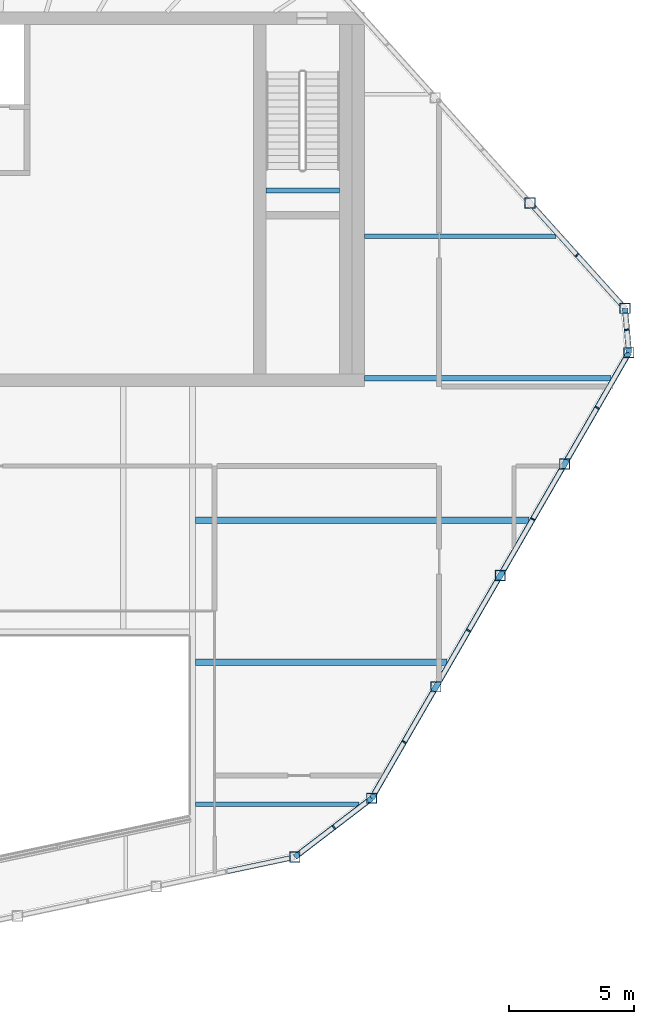
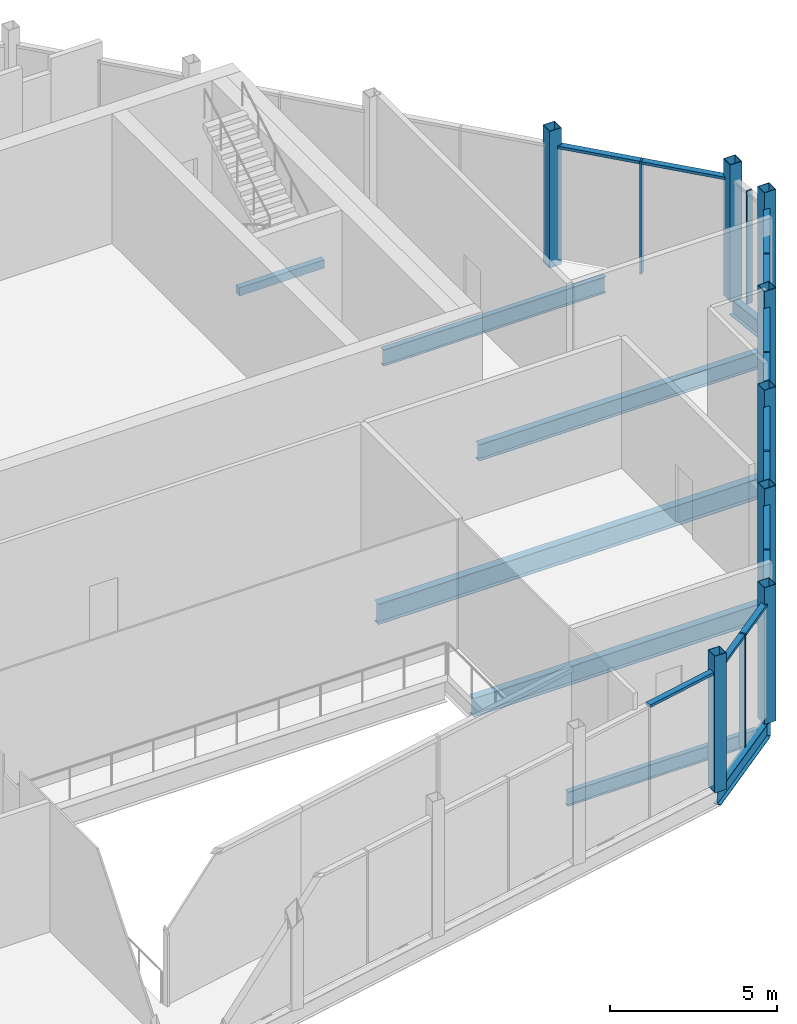
# One storey, part 4 of 12: 28 members, 9 beams, 5 elements without a shape of their own.
"""IFC4 building model written with IfcOpenShell, lengths in metres."""

from ifc_helpers import new_model, si_unit, direction, frame, origin, origin_2d, place, context, subcontext, project, spatial, rectangle, hollow_rectangle, i_section, extrude, material, layer, layer_set, material_profile, profile_set, type_object, element, aggregate, save


model = new_model("IFC4")

# Units and contexts
model_context = context("Model", 3, precision=1e-05, world=origin(), true_north=direction((0.0, 1.0)))
body_context = subcontext(model_context, "Body", "Model", "MODEL_VIEW")
ifc_project = project(units=[si_unit("LENGTHUNIT", "METRE"), si_unit("AREAUNIT", "SQUARE_METRE"), si_unit("VOLUMEUNIT", "CUBIC_METRE"), si_unit("PLANEANGLEUNIT", "RADIAN"), si_unit("MASSUNIT", "GRAM", prefix="KILO")], contexts=[model_context])

# Site, building, storey
site_placement = place(None, origin())
site = spatial("IfcSite", under=ifc_project, at=site_placement, CompositionType="ELEMENT")
building_placement = place(site_placement, origin())
building = spatial("IfcBuilding", under=site, at=building_placement, Name="Isthmus Gate Tower", CompositionType="ELEMENT")
storey_placement = place(building_placement, frame((0.0, 0.0, 306.10009765625)))
storey = spatial("IfcBuildingStorey", under=building, at=storey_placement, Name="C2", CompositionType="ELEMENT", Elevation=306.10009765625)

# Members
ifc_material_1 = material(Name="Structural steel ASTM A500 Gr C", Category="steel")
ifc_material_profile_1 = material_profile(ifc_material_1, hollow_rectangle(XDim=0.406494140625, YDim=0.406494140625, WallThickness=0.017578125, at=origin_2d()), Name="HSS16X16X3/4")
ifc_profile_set_1 = profile_set([ifc_material_profile_1], Name="Structural steel ASTM A500 Gr C")
member_type_1 = type_object("IfcMemberType", Name="CROWN POST HSS16X16X3/4", PredefinedType="POST", material=ifc_profile_set_1)
for number, where, z_axis, x_axis, name in (
    (1, (12.215087890625, -18.8701171875, -0.25), (0.0, 0.0, 1.0), (1.0, 0.0, 0.0), "str-crownpost-C2-20"),
    (2, (15.28955078125, -16.517822265625, -0.25), (0.0, 0.0, 1.0), (1.0, 0.0, 0.0), "str-crownpost-C2-21"),
    (3, (17.8681640625, -12.05126953125, -0.25), (0.0, 0.0, 1.0), (1.0, 0.0, 0.0), "str-crownpost-C2-22"),
    (4, (20.44677734375, -7.5849609375, -0.25), (0.0, 0.0, 1.0), (1.0, 0.0, 0.0), "str-crownpost-C2-23"),
    (5, (23.025634765625, -3.11865234375, -0.25), (0.0, 0.0, 1.0), (1.0, 0.0, 0.0), "str-crownpost-C2-24"),
    (6, (25.604248046875, 1.347900390625, -0.25), (0.0, 0.0, 1.0), (1.0, 0.0, 0.0), "str-crownpost-C2-25"),
    (7, (25.445068359375, 3.120361328125, -0.25), (0.0, 0.0, 1.0), (1.0, 0.0, 0.0), "str-crownpost-C2-26"),
    (8, (21.642333984375, 7.34375, -0.25), (0.0, 0.0, 1.0), (1.0, 0.0, 0.0), "str-crownpost-C2-27"),
):
    element("IfcMember", number, at=place(storey_placement, frame(where, z_axis=z_axis, x_axis=x_axis)), inside=storey, type_object=member_type_1, Name=name, PredefinedType="POST", context=body_context, shape_type="SweptSolid", body=[
        extrude(hollow_rectangle(XDim=0.406494140625, YDim=0.406494140625, WallThickness=0.017578125, at=origin_2d()), origin(), (0.0, 0.0, 1.0), 5.0),
    ])

# Beams
ifc_material_2 = material(Name="Structural steel ASTM A992 Gr 50", Category="steel")
ifc_material_profile_2 = material_profile(ifc_material_2, i_section(OverallWidth=0.231689453125, OverallDepth=0.615966796875, WebThickness=0.0126953125, FlangeThickness=0.022216796875, at=origin_2d()), Name="W24X94")
ifc_profile_set_2 = profile_set([ifc_material_profile_2], Name="Structural steel ASTM A992 Gr 50")
beam_type_1 = type_object("IfcBeamType", Name="CROWN RING BEAM W24X94", PredefinedType="BEAM", material=ifc_profile_set_2)
beam_1_placement = place(storey_placement, frame((12.215087890625, -18.8701171875, -0.55810546875), z_axis=(0.794203857672, 0.607651407025, 0.0), x_axis=(-0.607651407025, 0.794203857672, 0.0)))
element("IfcBeam", 9, at=beam_1_placement, inside=storey, type_object=beam_type_1, Name="str-crownring-C2-07", PredefinedType="BEAM", context=body_context, shape_type="SweptSolid", body=[
    extrude(i_section(OverallWidth=0.231689453125, OverallDepth=0.615966796875, WebThickness=0.0126953125, FlangeThickness=0.022216796875, at=origin_2d()), origin(), (0.0, 0.0, 1.0), 3.87109375),
])
beam_2_placement = place(storey_placement, frame((15.28955078125, -16.517822265625, -0.55810546875), z_axis=(0.499996999955, 0.866027135854, 0.0), x_axis=(-0.866027135854, 0.499996999955, 0.0)))
element("IfcBeam", 10, at=beam_2_placement, inside=storey, type_object=beam_type_1, Name="str-crownring-C2-08", PredefinedType="BEAM", context=body_context, shape_type="SweptSolid", body=[
    extrude(i_section(OverallWidth=0.231689453125, OverallDepth=0.615966796875, WebThickness=0.0126953125, FlangeThickness=0.022216796875, at=origin_2d()), origin(), (0.0, 0.0, 1.0), 20.629638671875),
])
beam_3_placement = place(storey_placement, frame((25.604248046875, 1.347900390625, -0.55810546875), z_axis=(-0.089447176589, 0.995991567535, 0.0), x_axis=(-0.995991567535, -0.089447176589, 0.0)))
element("IfcBeam", 11, at=beam_3_placement, inside=storey, type_object=beam_type_1, Name="str-crownring-C2-09", PredefinedType="BEAM", context=body_context, shape_type="SweptSolid", body=[
    extrude(i_section(OverallWidth=0.231689453125, OverallDepth=0.615966796875, WebThickness=0.0126953125, FlangeThickness=0.022216796875, at=origin_2d()), origin(), (0.0, 0.0, 1.0), 1.779541015625),
])

# Curtain wall, member
ifc_material_3 = material(Name="Aluminium, pale champagne anodised", Category="aluminium")
ifc_layer = layer(ifc_material_3, 0.199951171875)
ifc_layer_set = layer_set([ifc_layer], Name="CW-2 LOUVRE CURTAIN WALL 200 DEEP")
curtain_wall_type = type_object("IfcCurtainWallType", Name="CW-2 LOUVRE CURTAIN WALL 200 DEEP", PredefinedType="NOTDEFINED", material=ifc_layer_set)
curtain_wall_1_placement = place(storey_placement, origin())
curtain_wall_1 = element("IfcCurtainWall", 12, at=curtain_wall_1_placement, inside=storey, type_object=curtain_wall_type, Name="CW-2 E07 C2", PredefinedType="NOTDEFINED")
ifc_material_4 = material(Name="Aluminium, pale champagne anodised", Category="aluminium")
ifc_material_profile_3 = material_profile(ifc_material_4, rectangle(XDim=0.06005859375, YDim=0.199951171875, at=origin_2d()), Name="60x200")
ifc_profile_set_3 = profile_set([ifc_material_profile_3], Name="Aluminium, pale champagne anodised")
member_type_2 = type_object("IfcMemberType", Name="CW-2 MULLION 60 X 200", PredefinedType="MULLION", material=ifc_profile_set_3)
member_1_placement = place(storey_placement, frame((13.776123046875, -17.67578125, 0.0), z_axis=(0.0, 0.0, 1.0), x_axis=(0.794188594387, 0.607671355706, 0.0)))
member_1 = element("IfcMember", 13, at=member_1_placement, type_object=member_type_2, Name="CW-2 mullion", PredefinedType="MULLION", context=body_context, shape_type="SweptSolid", body=[
    extrude(rectangle(XDim=0.06005859375, YDim=0.199951171875, at=origin_2d()), origin(), (0.0, 0.0, 1.0), 4.134033203125),
])

# Curtain wall, members
curtain_wall_2_placement = place(storey_placement, origin())
curtain_wall_2 = element("IfcCurtainWall", 14, at=curtain_wall_2_placement, inside=storey, type_object=curtain_wall_type, Name="CW-2 E08 C2", PredefinedType="NOTDEFINED")
member_2_placement = place(storey_placement, frame((16.593994140625, -14.258544921875, 0.0), z_axis=(0.0, 0.0, 1.0), x_axis=(0.5, 0.866025403784, 0.0)))
member_2 = element("IfcMember", 15, at=member_2_placement, type_object=member_type_2, Name="CW-2 mullion", PredefinedType="MULLION", context=body_context, shape_type="SweptSolid", body=[
    extrude(rectangle(XDim=0.06005859375, YDim=0.199951171875, at=origin_2d()), origin(), (0.0, 0.0, 1.0), 4.134033203125),
])
member_3_placement = place(storey_placement, frame((19.172607421875, -9.792236328125, 0.0), z_axis=(0.0, 0.0, 1.0), x_axis=(0.5, 0.866025403784, 0.0)))
member_3 = element("IfcMember", 16, at=member_3_placement, type_object=member_type_2, Name="CW-2 mullion", PredefinedType="MULLION", context=body_context, shape_type="SweptSolid", body=[
    extrude(rectangle(XDim=0.06005859375, YDim=0.199951171875, at=origin_2d()), origin(), (0.0, 0.0, 1.0), 4.134033203125),
])
member_4_placement = place(storey_placement, frame((21.751220703125, -5.32568359375, 0.0), z_axis=(0.0, 0.0, 1.0), x_axis=(0.5, 0.866025403784, 0.0)))
member_4 = element("IfcMember", 17, at=member_4_placement, type_object=member_type_2, Name="CW-2 mullion", PredefinedType="MULLION", context=body_context, shape_type="SweptSolid", body=[
    extrude(rectangle(XDim=0.06005859375, YDim=0.199951171875, at=origin_2d()), origin(), (0.0, 0.0, 1.0), 4.134033203125),
])
member_5_placement = place(storey_placement, frame((24.329833984375, -0.859375, 0.0), z_axis=(0.0, 0.0, 1.0), x_axis=(0.5, 0.866025403784, 0.0)))
member_5 = element("IfcMember", 18, at=member_5_placement, type_object=member_type_2, Name="CW-2 mullion", PredefinedType="MULLION", context=body_context, shape_type="SweptSolid", body=[
    extrude(rectangle(XDim=0.06005859375, YDim=0.199951171875, at=origin_2d()), origin(), (0.0, 0.0, 1.0), 4.134033203125),
])

# Curtain wall, member
curtain_wall_3_placement = place(storey_placement, origin())
curtain_wall_3 = element("IfcCurtainWall", 19, at=curtain_wall_3_placement, inside=storey, type_object=curtain_wall_type, Name="CW-2 E09 C2", PredefinedType="NOTDEFINED")
member_6_placement = place(storey_placement, frame((25.52197265625, 2.263916015625, 0.0), z_axis=(0.0, 0.0, 1.0), x_axis=(-0.089396669717, 0.995996102123, 0.0)))
member_6 = element("IfcMember", 20, at=member_6_placement, type_object=member_type_2, Name="CW-2 mullion", PredefinedType="MULLION", context=body_context, shape_type="SweptSolid", body=[
    extrude(rectangle(XDim=0.06005859375, YDim=0.199951171875, at=origin_2d()), origin(), (0.0, 0.0, 1.0), 4.134033203125),
])
aggregate(curtain_wall_3, [member_6])

curtain_wall_4_placement = place(storey_placement, origin())
curtain_wall_4 = element("IfcCurtainWall", 21, at=curtain_wall_4_placement, inside=storey, type_object=curtain_wall_type, Name="CW-2 E10 C2", PredefinedType="NOTDEFINED")
member_7_placement = place(storey_placement, frame((23.523681640625, 5.25439453125, 0.0), z_axis=(0.0, 0.0, 1.0), x_axis=(-0.669130606359, 0.743144825477, 0.0)))
member_7 = element("IfcMember", 22, at=member_7_placement, type_object=member_type_2, Name="CW-2 mullion", PredefinedType="MULLION", context=body_context, shape_type="SweptSolid", body=[
    extrude(rectangle(XDim=0.06005859375, YDim=0.199951171875, at=origin_2d()), origin(), (0.0, 0.0, 1.0), 4.134033203125),
])

curtain_wall_5_placement = place(storey_placement, origin())
curtain_wall_5 = element("IfcCurtainWall", 23, at=curtain_wall_5_placement, inside=storey, type_object=curtain_wall_type, Name="CW-2 E06 C2", PredefinedType="NOTDEFINED")
ifc_material_5 = material(Name="Aluminium, pale champagne anodised", Category="aluminium")
ifc_material_profile_4 = material_profile(ifc_material_5, rectangle(XDim=0.199951171875, YDim=0.10009765625, at=origin_2d()), Name="200x100")
ifc_profile_set_4 = profile_set([ifc_material_profile_4], Name="Aluminium, pale champagne anodised")
member_type_3 = type_object("IfcMemberType", Name="CW-2 TRANSOM 200 X 100", PredefinedType="USERDEFINED", material=ifc_profile_set_4)
member_8_placement = place(storey_placement, frame((9.494384765625, -19.448486328125, 4.083984375), z_axis=(0.978142002072, 0.207938028708, 0.0), x_axis=(-0.207938028708, 0.978142002072, 0.0)))
member_8 = element("IfcMember", 24, at=member_8_placement, type_object=member_type_3, Name="CW-2 transom", ObjectType="TRANSOM", PredefinedType="USERDEFINED", context=body_context, shape_type="SweptSolid", body=[
    extrude(rectangle(XDim=0.199951171875, YDim=0.10009765625, at=origin_2d()), origin(), (0.0, 0.0, 1.0), 2.578369140625),
])
aggregate(curtain_wall_5, [member_8])

# Member
member_9_placement = place(storey_placement, frame((12.37646484375, -18.74658203125, 4.083984375), z_axis=(0.794213815853, 0.607638391405, 0.0), x_axis=(-0.607638391405, 0.794213815853, 0.0)))
member_9 = element("IfcMember", 25, at=member_9_placement, type_object=member_type_3, Name="CW-2 transom", ObjectType="TRANSOM", PredefinedType="USERDEFINED", context=body_context, shape_type="SweptSolid", body=[
    extrude(rectangle(XDim=0.199951171875, YDim=0.10009765625, at=origin_2d()), origin(), (0.0, 0.0, 1.0), 1.732421875),
])

member_10_placement = place(storey_placement, frame((13.800048828125, -17.657470703125, 4.083984375), z_axis=(0.794146460454, 0.607726418175, 0.0), x_axis=(-0.607726418175, 0.794146460454, 0.0)))
member_10 = element("IfcMember", 26, at=member_10_placement, type_object=member_type_3, Name="CW-2 transom", ObjectType="TRANSOM", PredefinedType="USERDEFINED", context=body_context, shape_type="SweptSolid", body=[
    extrude(rectangle(XDim=0.199951171875, YDim=0.10009765625, at=origin_2d()), origin(), (0.0, 0.0, 1.0), 1.67236328125),
])

aggregate(curtain_wall_1, [member_9, member_1, member_10])

member_11_placement = place(storey_placement, frame((15.39111328125, -16.341796875, 4.083984375), z_axis=(0.49997450891, 0.866040120572, 0.0), x_axis=(-0.866040120572, 0.49997450891, 0.0)))
member_11 = element("IfcMember", 27, at=member_11_placement, type_object=member_type_3, Name="CW-2 transom", ObjectType="TRANSOM", PredefinedType="USERDEFINED", context=body_context, shape_type="SweptSolid", body=[
    extrude(rectangle(XDim=0.199951171875, YDim=0.10009765625, at=origin_2d()), origin(), (0.0, 0.0, 1.0), 2.37548828125),
])

member_12_placement = place(storey_placement, frame((16.60888671875, -14.232666015625, 4.083984375), z_axis=(0.499971918929, 0.866041615791, 0.0), x_axis=(-0.866041615791, 0.499971918929, 0.0)))
member_12 = element("IfcMember", 28, at=member_12_placement, type_object=member_type_3, Name="CW-2 transom", ObjectType="TRANSOM", PredefinedType="USERDEFINED", context=body_context, shape_type="SweptSolid", body=[
    extrude(rectangle(XDim=0.199951171875, YDim=0.10009765625, at=origin_2d()), origin(), (0.0, 0.0, 1.0), 2.315673828125),
])

member_13_placement = place(storey_placement, frame((17.9697265625, -11.87548828125, 4.083984375), z_axis=(0.49997450891, 0.866040120572, 0.0), x_axis=(-0.866040120572, 0.49997450891, 0.0)))
member_13 = element("IfcMember", 29, at=member_13_placement, type_object=member_type_3, Name="CW-2 transom", ObjectType="TRANSOM", PredefinedType="USERDEFINED", context=body_context, shape_type="SweptSolid", body=[
    extrude(rectangle(XDim=0.199951171875, YDim=0.10009765625, at=origin_2d()), origin(), (0.0, 0.0, 1.0), 2.37548828125),
])

member_14_placement = place(storey_placement, frame((19.1875, -9.76611328125, 4.083984375), z_axis=(0.50001757531, 0.866015256437, 0.0), x_axis=(-0.866015256437, 0.50001757531, 0.0)))
member_14 = element("IfcMember", 30, at=member_14_placement, type_object=member_type_3, Name="CW-2 transom", ObjectType="TRANSOM", PredefinedType="USERDEFINED", context=body_context, shape_type="SweptSolid", body=[
    extrude(rectangle(XDim=0.199951171875, YDim=0.10009765625, at=origin_2d()), origin(), (0.0, 0.0, 1.0), 2.3154296875),
])

member_15_placement = place(storey_placement, frame((20.548583984375, -7.408935546875, 4.083984375), z_axis=(0.500019011276, 0.866014427341, 0.0), x_axis=(-0.866014427341, 0.500019011276, 0.0)))
member_15 = element("IfcMember", 31, at=member_15_placement, type_object=member_type_3, Name="CW-2 transom", ObjectType="TRANSOM", PredefinedType="USERDEFINED", context=body_context, shape_type="SweptSolid", body=[
    extrude(rectangle(XDim=0.199951171875, YDim=0.10009765625, at=origin_2d()), origin(), (0.0, 0.0, 1.0), 2.37548828125),
])

member_16_placement = place(storey_placement, frame((21.76611328125, -5.2998046875, 4.083984375), z_axis=(0.50001757531, 0.866015256437, 0.0), x_axis=(-0.866015256437, 0.50001757531, 0.0)))
member_16 = element("IfcMember", 32, at=member_16_placement, type_object=member_type_3, Name="CW-2 transom", ObjectType="TRANSOM", PredefinedType="USERDEFINED", context=body_context, shape_type="SweptSolid", body=[
    extrude(rectangle(XDim=0.199951171875, YDim=0.10009765625, at=origin_2d()), origin(), (0.0, 0.0, 1.0), 2.3154296875),
])

member_17_placement = place(storey_placement, frame((23.127197265625, -2.942626953125, 4.083984375), z_axis=(0.500019011276, 0.866014427341, 0.0), x_axis=(-0.866014427341, 0.500019011276, 0.0)))
member_17 = element("IfcMember", 33, at=member_17_placement, type_object=member_type_3, Name="CW-2 transom", ObjectType="TRANSOM", PredefinedType="USERDEFINED", context=body_context, shape_type="SweptSolid", body=[
    extrude(rectangle(XDim=0.199951171875, YDim=0.10009765625, at=origin_2d()), origin(), (0.0, 0.0, 1.0), 2.37548828125),
])

member_18_placement = place(storey_placement, frame((24.344970703125, -0.83349609375, 4.083984375), z_axis=(0.499971918929, 0.866041615791, 0.0), x_axis=(-0.866041615791, 0.499971918929, 0.0)))
member_18 = element("IfcMember", 34, at=member_18_placement, type_object=member_type_3, Name="CW-2 transom", ObjectType="TRANSOM", PredefinedType="USERDEFINED", context=body_context, shape_type="SweptSolid", body=[
    extrude(rectangle(XDim=0.199951171875, YDim=0.10009765625, at=origin_2d()), origin(), (0.0, 0.0, 1.0), 2.315673828125),
])

aggregate(curtain_wall_2, [member_11, member_2, member_12, member_13, member_3, member_14, member_15, member_4, member_16, member_17, member_5, member_18])

member_19_placement = place(storey_placement, frame((25.30908203125, 3.271484375, 4.083984375), z_axis=(-0.669123202395, 0.74315149197, 0.0), x_axis=(-0.74315149197, -0.669123202395, 0.0)))
member_19 = element("IfcMember", 35, at=member_19_placement, type_object=member_type_3, Name="CW-2 transom", ObjectType="TRANSOM", PredefinedType="USERDEFINED", context=body_context, shape_type="SweptSolid", body=[
    extrude(rectangle(XDim=0.199951171875, YDim=0.10009765625, at=origin_2d()), origin(), (0.0, 0.0, 1.0), 2.638427734375),
])

member_20_placement = place(storey_placement, frame((23.503662109375, 5.276611328125, 4.083984375), z_axis=(-0.669116417843, 0.743157600629, 0.0), x_axis=(-0.743157600629, -0.669116417843, 0.0)))
member_20 = element("IfcMember", 36, at=member_20_placement, type_object=member_type_3, Name="CW-2 transom", ObjectType="TRANSOM", PredefinedType="USERDEFINED", context=body_context, shape_type="SweptSolid", body=[
    extrude(rectangle(XDim=0.199951171875, YDim=0.10009765625, at=origin_2d()), origin(), (0.0, 0.0, 1.0), 2.57861328125),
])

aggregate(curtain_wall_4, [member_19, member_7, member_20])

# Beams
ifc_material_6 = material(Name="Concrete f'c 40 MPa", Category="concrete")
ifc_material_profile_5 = material_profile(ifc_material_6, rectangle(XDim=0.199951171875, YDim=0.300048828125, at=origin_2d()), Name="STAIR LANDING BEAM RC 200 X 300")
ifc_profile_set_5 = profile_set([ifc_material_profile_5], Name="Concrete f'c 40 MPa")
beam_type_2 = type_object("IfcBeamType", Name="STAIR LANDING BEAM RC 200 X 300", PredefinedType="BEAM", material=ifc_profile_set_5)
beam_4_placement = place(storey_placement, frame((11.050048828125, 7.840087890625, 2.14990234375), z_axis=(1.0, 0.0, 0.0), x_axis=(0.0, 1.0, 0.0)))
element("IfcBeam", 37, at=beam_4_placement, inside=storey, type_object=beam_type_2, Name="C2 ST2 landing beam 1", PredefinedType="BEAM", context=body_context, shape_type="SweptSolid", body=[
    extrude(rectangle(XDim=0.199951171875, YDim=0.300048828125, at=origin_2d()), origin(), (0.0, 0.0, 1.0), 2.949951171875),
])
ifc_material_7 = material(Name="Structural steel ASTM A992 Gr 50", Category="steel")
ifc_material_profile_6 = material_profile(ifc_material_7, i_section(OverallWidth=0.1650390625, OverallDepth=0.52392578125, WebThickness=0.009521484375, FlangeThickness=0.010986328125, at=origin_2d()), Name="W21X44")
ifc_profile_set_6 = profile_set([ifc_material_profile_6], Name="Structural steel ASTM A992 Gr 50")
beam_type_3 = type_object("IfcBeamType", Name="STEEL FLOOR BEAM W21X44", PredefinedType="JOIST", material=ifc_profile_set_6)
beam_5_placement = place(storey_placement, frame((8.228515625, -16.75341796875, -0.511962890625), z_axis=(1.0, 0.0, 0.0), x_axis=(0.0, 1.0, 0.0)))
element("IfcBeam", 38, at=beam_5_placement, inside=storey, type_object=beam_type_3, Name="str-beam-C2-04-00", PredefinedType="JOIST", context=body_context, shape_type="SweptSolid", body=[
    extrude(i_section(OverallWidth=0.1650390625, OverallDepth=0.52392578125, WebThickness=0.009521484375, FlangeThickness=0.010986328125, at=origin_2d()), origin(), (0.0, 0.0, 1.0), 6.562255859375),
])
ifc_material_8 = material(Name="Structural steel ASTM A992 Gr 50", Category="steel")
ifc_material_profile_7 = material_profile(ifc_material_8, i_section(OverallWidth=0.177734375, OverallDepth=0.60009765625, WebThickness=0.009521484375, FlangeThickness=0.0126953125, at=origin_2d()), Name="W24X55")
ifc_profile_set_7 = profile_set([ifc_material_profile_7], Name="Structural steel ASTM A992 Gr 50")
beam_type_4 = type_object("IfcBeamType", Name="STEEL FLOOR BEAM W24X55", PredefinedType="JOIST", material=ifc_profile_set_7)
beam_6_placement = place(storey_placement, frame((15.0, 6.010986328125, -0.550048828125), z_axis=(1.0, 0.0, 0.0), x_axis=(0.0, 1.0, 0.0)))
element("IfcBeam", 39, at=beam_6_placement, inside=storey, type_object=beam_type_4, Name="str-beam-C2-04-04", PredefinedType="JOIST", context=body_context, shape_type="SweptSolid", body=[
    extrude(i_section(OverallWidth=0.177734375, OverallDepth=0.60009765625, WebThickness=0.009521484375, FlangeThickness=0.0126953125, at=origin_2d()), origin(), (0.0, 0.0, 1.0), 7.6865234375),
])
ifc_material_9 = material(Name="Structural steel ASTM A992 Gr 50", Category="steel")
ifc_material_profile_8 = material_profile(ifc_material_9, i_section(OverallWidth=0.228515625, OverallDepth=0.603271484375, WebThickness=0.010986328125, FlangeThickness=0.014404296875, at=origin_2d()), Name="W24X68")
ifc_profile_set_8 = profile_set([ifc_material_profile_8], Name="Structural steel ASTM A992 Gr 50")
beam_type_5 = type_object("IfcBeamType", Name="STEEL FLOOR BEAM W24X68", PredefinedType="JOIST", material=ifc_profile_set_8)
beam_7_placement = place(storey_placement, frame((15.0, 0.31982421875, -0.5517578125), z_axis=(1.0, 0.0, 0.0), x_axis=(0.0, 1.0, 0.0)))
element("IfcBeam", 40, at=beam_7_placement, inside=storey, type_object=beam_type_5, Name="str-beam-C2-04-03", PredefinedType="JOIST", context=body_context, shape_type="SweptSolid", body=[
    extrude(i_section(OverallWidth=0.228515625, OverallDepth=0.603271484375, WebThickness=0.010986328125, FlangeThickness=0.014404296875, at=origin_2d()), origin(), (0.0, 0.0, 1.0), 9.876953125),
])
ifc_material_10 = material(Name="Structural steel ASTM A992 Gr 50", Category="steel")
ifc_material_profile_9 = material_profile(ifc_material_10, i_section(OverallWidth=0.25390625, OverallDepth=0.679443359375, WebThickness=0.010986328125, FlangeThickness=0.015869140625, at=origin_2d()), Name="W27X84")
ifc_profile_set_9 = profile_set([ifc_material_profile_9], Name="Structural steel ASTM A992 Gr 50")
beam_type_6 = type_object("IfcBeamType", Name="STEEL FLOOR BEAM W27X84", PredefinedType="JOIST", material=ifc_profile_set_9)
beam_8_placement = place(storey_placement, frame((8.228515625, -11.062255859375, -0.58984375), z_axis=(1.0, 0.0, 0.0), x_axis=(0.0, 1.0, 0.0)))
element("IfcBeam", 41, at=beam_8_placement, inside=storey, type_object=beam_type_6, Name="str-beam-C2-04-01", PredefinedType="JOIST", context=body_context, shape_type="SweptSolid", body=[
    extrude(i_section(OverallWidth=0.25390625, OverallDepth=0.679443359375, WebThickness=0.010986328125, FlangeThickness=0.015869140625, at=origin_2d()), origin(), (0.0, 0.0, 1.0), 10.076904296875),
])
ifc_material_11 = material(Name="Structural steel ASTM A992 Gr 50", Category="steel")
ifc_material_profile_10 = material_profile(ifc_material_11, i_section(OverallWidth=0.263427734375, OverallDepth=0.749267578125, WebThickness=0.0126953125, FlangeThickness=0.015869140625, at=origin_2d()), Name="W30X90")
ifc_profile_set_10 = profile_set([ifc_material_profile_10], Name="Structural steel ASTM A992 Gr 50")
beam_type_7 = type_object("IfcBeamType", Name="STEEL FLOOR BEAM W30X90", PredefinedType="JOIST", material=ifc_profile_set_10)
beam_9_placement = place(storey_placement, frame((8.228515625, -5.37109375, -0.624755859375), z_axis=(1.0, 0.0, 0.0), x_axis=(0.0, 1.0, 0.0)))
element("IfcBeam", 42, at=beam_9_placement, inside=storey, type_object=beam_type_7, Name="str-beam-C2-04-02", PredefinedType="JOIST", context=body_context, shape_type="SweptSolid", body=[
    extrude(i_section(OverallWidth=0.263427734375, OverallDepth=0.749267578125, WebThickness=0.0126953125, FlangeThickness=0.015869140625, at=origin_2d()), origin(), (0.0, 0.0, 1.0), 13.362548828125),
])

save(model, "model.ifc")
